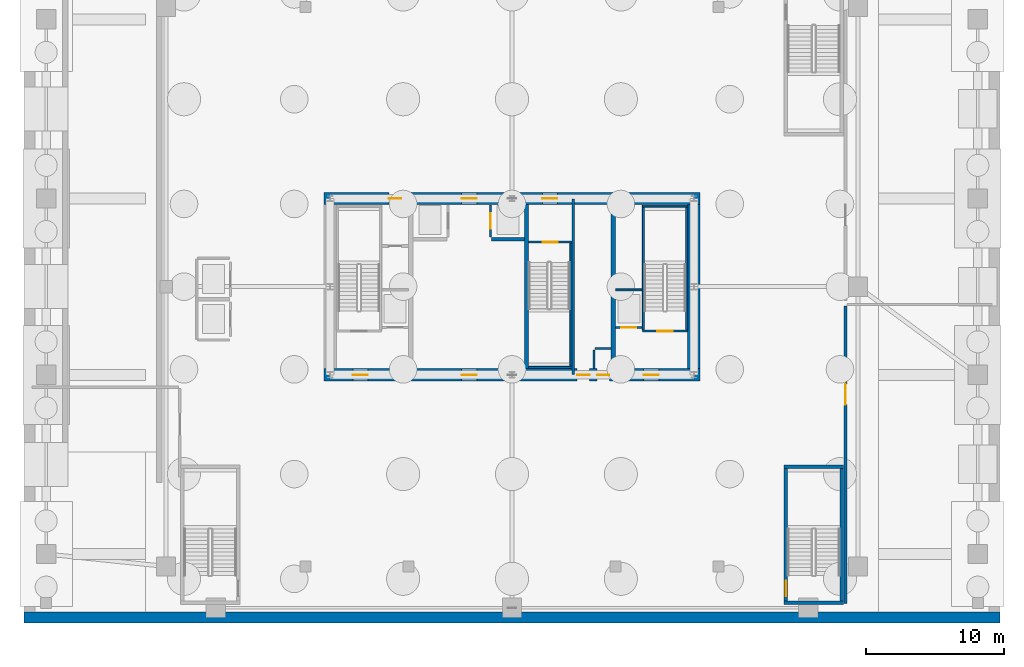
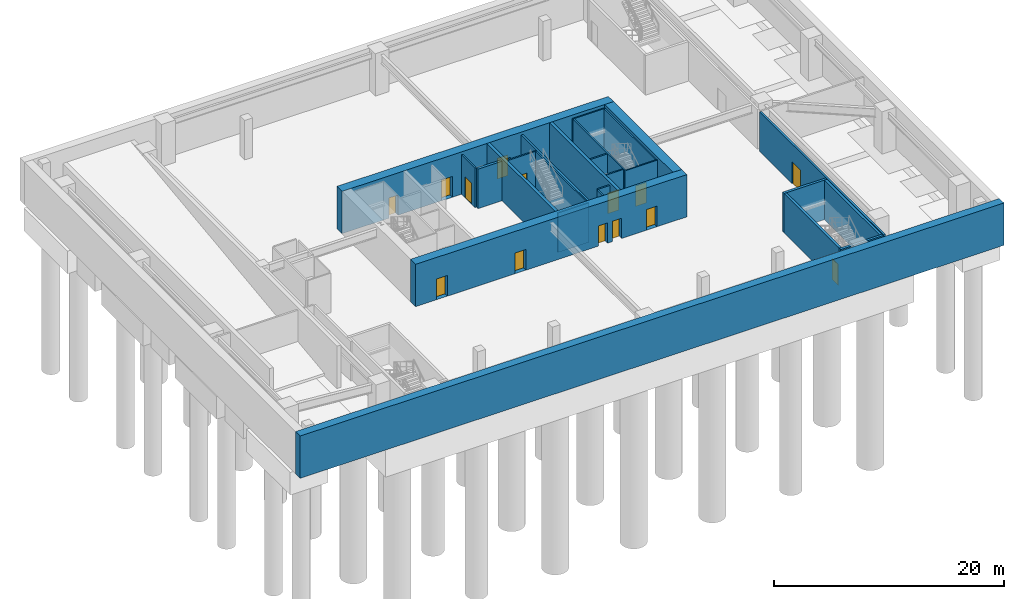
# One storey, part 5 of 10: 25 walls, 14 doors, 14 openings.
"""IFC4 building model written with IfcOpenShell, lengths in metres."""

from ifc_helpers import new_model, si_unit, direction, frame, frame_2d, origin, place, context, subcontext, project, spatial, rectangle, extrude, source, transform, mapped, material, layer, layer_set, type_object, element, fill, save


model = new_model("IFC4")

# Units and contexts
model_context = context("Model", 3, precision=1e-05, world=origin(), true_north=direction((0.0, 1.0)))
body_context = subcontext(model_context, "Body", "Model", "MODEL_VIEW")
ifc_project = project(units=[si_unit("LENGTHUNIT", "METRE"), si_unit("AREAUNIT", "SQUARE_METRE"), si_unit("VOLUMEUNIT", "CUBIC_METRE"), si_unit("PLANEANGLEUNIT", "RADIAN"), si_unit("MASSUNIT", "GRAM", prefix="KILO"), si_unit("THERMODYNAMICTEMPERATUREUNIT", "KELVIN"), si_unit("POWERUNIT", "WATT")], contexts=[model_context])

# Site, building, storey
site_placement = place(None, origin())
site = spatial("IfcSite", under=ifc_project, at=site_placement, CompositionType="ELEMENT")
building_placement = place(site_placement, origin())
building = spatial("IfcBuilding", under=site, at=building_placement, Name="Yuzanri Waterfront Tower", CompositionType="ELEMENT")
storey_placement = place(building_placement, frame((0.0, 0.0, -9.0)))
storey = spatial("IfcBuildingStorey", under=building, at=storey_placement, Name="B02", CompositionType="ELEMENT", Elevation=-9.0)

# Wall, openings, doors
ifc_material_1 = material(Name="Concrete C60", Category="concrete")
ifc_layer_1 = layer(ifc_material_1, 0.89990234375)
ifc_layer_set_1 = layer_set([ifc_layer_1], Name="Concrete C60")
wall_type_1 = type_object("IfcWallType", Name="Concrete C60 Lower Zone Core Shear Wall 900", PredefinedType="SHEAR", material=ifc_layer_set_1)
wall_1_placement = place(storey_placement, frame((23.35009765625, 19.39990234375, 0.0), z_axis=(0.0, 0.0, 1.0), x_axis=(1.0, 0.0, 0.0)))
wall_1 = element("IfcWall", 1, at=wall_1_placement, inside=storey, type_object=wall_type_1, Name="B02 Core South Shear Wall", PredefinedType="SHEAR", context=body_context, shape_type="SweptSolid", body=[
    extrude(rectangle(XDim=27.2998046875, YDim=0.89990234375, at=frame_2d((13.64990234375, 0.0))), origin(), (0.0, 0.0, 1.0), 4.5),
])
opening_1_placement = place(wall_1_placement, frame((2.10009765625, 0.0, 0.0)))
opening_1 = element("IfcOpeningElement", 2, at=opening_1_placement, cuts=wall_1, Name="Opening FD-1100", PredefinedType="OPENING", context=body_context, shape_type="SweptSolid", body=[
    extrude(rectangle(XDim=1.10009765625, YDim=2.199951171875, at=frame_2d((0.550048828125, 1.10009765625))), frame((0.0, 0.46484375, 0.0), z_axis=(0.0, -1.0, 0.0), x_axis=(1.0, 0.0, 0.0)), (0.0, 0.0, 1.0), 0.9296875),
])
opening_2_placement = place(wall_1_placement, frame((10.0, 0.0, 0.0)))
opening_2 = element("IfcOpeningElement", 3, at=opening_2_placement, cuts=wall_1, Name="Opening FD-1100", PredefinedType="OPENING", context=body_context, shape_type="SweptSolid", body=[
    extrude(rectangle(XDim=1.10009765625, YDim=2.199951171875, at=frame_2d((0.550048828125, 1.10009765625))), frame((0.0, 0.46484375, 0.0), z_axis=(0.0, -1.0, 0.0), x_axis=(1.0, 0.0, 0.0)), (0.0, 0.0, 1.0), 0.9296875),
])
opening_3_placement = place(wall_1_placement, frame((23.199951171875, 0.0, 0.0)))
opening_3 = element("IfcOpeningElement", 4, at=opening_3_placement, cuts=wall_1, Name="Opening FD-1100", PredefinedType="OPENING", context=body_context, shape_type="SweptSolid", body=[
    extrude(rectangle(XDim=1.10009765625, YDim=2.199951171875, at=frame_2d((0.550048828125, 1.10009765625))), frame((0.0, 0.46484375, 0.0), z_axis=(0.0, -1.0, 0.0), x_axis=(1.0, 0.0, 0.0)), (0.0, 0.0, 1.0), 0.9296875),
])
opening_4_placement = place(wall_1_placement, frame((19.820068359375, 0.0, 0.0)))
opening_4 = element("IfcOpeningElement", 5, at=opening_4_placement, cuts=wall_1, Name="Opening FD-0900", PredefinedType="OPENING", context=body_context, shape_type="SweptSolid", body=[
    extrude(rectangle(XDim=0.89990234375, YDim=2.14990234375, at=frame_2d((0.449951171875, 1.074951171875))), frame((0.0, 0.46484375, 0.0), z_axis=(0.0, -1.0, 0.0), x_axis=(1.0, 0.0, 0.0)), (0.0, 0.0, 1.0), 0.9296875),
])
opening_5_placement = place(wall_1_placement, frame((18.3798828125, 0.0, 0.0)))
opening_5 = element("IfcOpeningElement", 6, at=opening_5_placement, cuts=wall_1, Name="Opening FD-0900", PredefinedType="OPENING", context=body_context, shape_type="SweptSolid", body=[
    extrude(rectangle(XDim=0.89990234375, YDim=2.14990234375, at=frame_2d((0.449951171875, 1.074951171875))), frame((0.0, 0.46484375, 0.0), z_axis=(0.0, -1.0, 0.0), x_axis=(1.0, 0.0, 0.0)), (0.0, 0.0, 1.0), 0.9296875),
])
ifc_material_2 = material(Name="Painted Galvanized Fire Steel", Category="steel")
door_type_1 = type_object("IfcDoorType", Name="Smoke-Proof Stair and Lobby Fire Door 1100x2200", OperationType="NOTDEFINED", PredefinedType="DOOR", material=ifc_material_2)
shared_shape_1 = source(origin(), body_context, "Body", "SweptSolid", [
    extrude(rectangle(XDim=1.10009765625, YDim=2.199951171875, at=frame_2d((0.550048828125, 1.10009765625))), frame((0.0, 0.02490234375, 0.0), z_axis=(0.0, -1.0, 0.0), x_axis=(1.0, 0.0, 0.0)), (0.0, 0.0, 1.0), 0.050048828125),
])
door_1_placement = place(opening_1_placement, origin())
door_1 = element("IfcDoor", 7, at=door_1_placement, inside=storey, type_object=door_type_1, Name="B02 West Firefighting Lobby Door", OperationType="SINGLE_SWING_LEFT", OverallHeight=2.199951171875, OverallWidth=1.10009765625, PredefinedType="DOOR", context=body_context, shape_type="MappedRepresentation", body=[
    mapped(shared_shape_1, transform((0.0, 0.0, 0.0), scale=1.0)),
])
fill(opening_1, door_1)
door_2_placement = place(opening_2_placement, origin())
door_2 = element("IfcDoor", 8, at=door_2_placement, inside=storey, type_object=door_type_1, Name="B02 Central Lift Lobby South Door", OperationType="SINGLE_SWING_RIGHT", OverallHeight=2.199951171875, OverallWidth=1.10009765625, PredefinedType="DOOR", context=body_context, shape_type="MappedRepresentation", body=[
    mapped(shared_shape_1, transform((0.0, 0.0, 0.0), scale=1.0)),
])
fill(opening_2, door_2)
door_3_placement = place(opening_3_placement, origin())
door_3 = element("IfcDoor", 9, at=door_3_placement, inside=storey, type_object=door_type_1, Name="B02 East Firefighting Lobby Door", OperationType="SINGLE_SWING_LEFT", OverallHeight=2.199951171875, OverallWidth=1.10009765625, PredefinedType="DOOR", context=body_context, shape_type="MappedRepresentation", body=[
    mapped(shared_shape_1, transform((0.0, 0.0, 0.0), scale=1.0)),
])
fill(opening_3, door_3)
ifc_material_3 = material(Name="Painted Galvanized Fire Steel", Category="steel")
door_type_2 = type_object("IfcDoorType", Name="Riser and Service Room Fire Door 900x2150", OperationType="NOTDEFINED", PredefinedType="DOOR", material=ifc_material_3)
shared_shape_2 = source(origin(), body_context, "Body", "SweptSolid", [
    extrude(rectangle(XDim=0.89990234375, YDim=2.14990234375, at=frame_2d((0.449951171875, 1.074951171875))), frame((0.0, 0.02490234375, 0.0), z_axis=(0.0, -1.0, 0.0), x_axis=(1.0, 0.0, 0.0)), (0.0, 0.0, 1.0), 0.050048828125),
])
door_4_placement = place(opening_4_placement, origin())
door_4 = element("IfcDoor", 10, at=door_4_placement, inside=storey, type_object=door_type_2, Name="B02 East Wet Riser Door", OperationType="SINGLE_SWING_RIGHT", OverallHeight=2.14990234375, OverallWidth=0.89990234375, PredefinedType="DOOR", context=body_context, shape_type="MappedRepresentation", body=[
    mapped(shared_shape_2, transform((0.0, 0.0, 0.0), scale=1.0)),
])
fill(opening_4, door_4)
door_5_placement = place(opening_5_placement, origin())
door_5 = element("IfcDoor", 11, at=door_5_placement, inside=storey, type_object=door_type_2, Name="B02 Cleaners Store Room", OperationType="SINGLE_SWING_LEFT", OverallHeight=2.14990234375, OverallWidth=0.89990234375, PredefinedType="DOOR", context=body_context, shape_type="MappedRepresentation", body=[
    mapped(shared_shape_2, transform((0.0, 0.0, 0.0), scale=1.0)),
])
fill(opening_5, door_5)

wall_2_placement = place(storey_placement, frame((23.35009765625, 32.199951171875, 0.0), z_axis=(0.0, 0.0, 1.0), x_axis=(1.0, 0.0, 0.0)))
wall_2 = element("IfcWall", 12, at=wall_2_placement, inside=storey, type_object=wall_type_1, Name="B02 Core North Shear Wall", PredefinedType="SHEAR", context=body_context, shape_type="SweptSolid", body=[
    extrude(rectangle(XDim=27.2998046875, YDim=0.89990234375, at=frame_2d((13.64990234375, 0.0))), origin(), (0.0, 0.0, 1.0), 4.5),
])
opening_6_placement = place(wall_2_placement, frame((4.719970703125, 0.0, 0.0)))
opening_6 = element("IfcOpeningElement", 13, at=opening_6_placement, cuts=wall_2, Name="Opening FD-0900", PredefinedType="OPENING", context=body_context, shape_type="SweptSolid", body=[
    extrude(rectangle(XDim=0.89990234375, YDim=2.14990234375, at=frame_2d((0.449951171875, 1.074951171875))), frame((0.0, 0.46484375, 0.0), z_axis=(0.0, -1.0, 0.0), x_axis=(1.0, 0.0, 0.0)), (0.0, 0.0, 1.0), 0.9296875),
])
opening_7_placement = place(wall_2_placement, frame((10.0, 0.0, 0.0)))
opening_7 = element("IfcOpeningElement", 14, at=opening_7_placement, cuts=wall_2, Name="Opening FD-1100", PredefinedType="OPENING", context=body_context, shape_type="SweptSolid", body=[
    extrude(rectangle(XDim=1.10009765625, YDim=2.199951171875, at=frame_2d((0.550048828125, 1.10009765625))), frame((0.0, 0.46484375, 0.0), z_axis=(0.0, -1.0, 0.0), x_axis=(1.0, 0.0, 0.0)), (0.0, 0.0, 1.0), 0.9296875),
])
opening_8_placement = place(wall_2_placement, frame((15.85009765625, 0.0, 0.0)))
opening_8 = element("IfcOpeningElement", 15, at=opening_8_placement, cuts=wall_2, Name="Opening FD-1100", PredefinedType="OPENING", context=body_context, shape_type="SweptSolid", body=[
    extrude(rectangle(XDim=1.10009765625, YDim=2.199951171875, at=frame_2d((0.550048828125, 1.10009765625))), frame((0.0, 0.46484375, 0.0), z_axis=(0.0, -1.0, 0.0), x_axis=(1.0, 0.0, 0.0)), (0.0, 0.0, 1.0), 0.9296875),
])
door_6_placement = place(opening_7_placement, origin())
door_6 = element("IfcDoor", 16, at=door_6_placement, inside=storey, type_object=door_type_1, Name="B02 Central Lift Lobby North Door", OperationType="SINGLE_SWING_LEFT", OverallHeight=2.199951171875, OverallWidth=1.10009765625, PredefinedType="DOOR", context=body_context, shape_type="MappedRepresentation", body=[
    mapped(shared_shape_1, transform((0.0, 0.0, 0.0), scale=1.0)),
])
fill(opening_7, door_6)
door_7_placement = place(opening_8_placement, origin())
door_7 = element("IfcDoor", 17, at=door_7_placement, inside=storey, type_object=door_type_1, Name="B02 North Stair Lobby Door", OperationType="SINGLE_SWING_RIGHT", OverallHeight=2.199951171875, OverallWidth=1.10009765625, PredefinedType="DOOR", context=body_context, shape_type="MappedRepresentation", body=[
    mapped(shared_shape_1, transform((0.0, 0.0, 0.0), scale=1.0)),
])
fill(opening_8, door_7)
door_8_placement = place(opening_6_placement, origin())
door_8 = element("IfcDoor", 18, at=door_8_placement, inside=storey, type_object=door_type_2, Name="B02 Telecom Riser Door", OperationType="SINGLE_SWING_RIGHT", OverallHeight=2.14990234375, OverallWidth=0.89990234375, PredefinedType="DOOR", context=body_context, shape_type="MappedRepresentation", body=[
    mapped(shared_shape_2, transform((0.0, 0.0, 0.0), scale=1.0)),
])
fill(opening_6, door_8)

# Wall, opening, door
ifc_material_4 = material(Name="Concrete C40", Category="concrete")
ifc_layer_2 = layer(ifc_material_4, 0.139892578125)
ifc_layer_set_2 = layer_set([ifc_layer_2], Name="Concrete C40")
wall_type_2 = type_object("IfcWallType", Name="Core Stair Liner and Hoistway Shaft Wall 140", PredefinedType="SOLIDWALL", material=ifc_layer_set_2)
wall_3_placement = place(storey_placement, frame((44.52001953125, 22.830078125, 0.0), z_axis=(0.0, 0.0, 1.0), x_axis=(1.0, 0.0, 0.0)))
wall_3 = element("IfcWall", 19, at=wall_3_placement, inside=storey, type_object=wall_type_2, Name="B02 Lift FL-02 Front Shaft Wall", PredefinedType="SOLIDWALL", context=body_context, shape_type="SweptSolid", body=[
    extrude(rectangle(XDim=1.919921875, YDim=0.139892578125, at=frame_2d((0.9599609375, 0.0))), origin(), (0.0, 0.0, 1.0), 4.199951171875),
])
opening_9_placement = place(wall_3_placement, frame((0.409912109375, 0.0, 0.0)))
opening_9 = element("IfcOpeningElement", 20, at=opening_9_placement, cuts=wall_3, Name="Opening LD-FL-02", PredefinedType="OPENING", context=body_context, shape_type="SweptSolid", body=[
    extrude(rectangle(XDim=1.10009765625, YDim=2.199951171875, at=frame_2d((0.550048828125, 1.10009765625))), frame((0.0, 0.0849609375, 0.0), z_axis=(0.0, -1.0, 0.0), x_axis=(1.0, 0.0, 0.0)), (0.0, 0.0, 1.0), 0.169677734375),
])
ifc_material_5 = material(Name="Brushed Bronze and Stainless Steel Cab", Category="steel")
door_type_3 = type_object("IfcDoorType", Name="Center-Parting Bronze Lift Landing Sliding Door 1100x2200", OperationType="NOTDEFINED", PredefinedType="DOOR", material=ifc_material_5)
shared_shape_3 = source(origin(), body_context, "Body", "SweptSolid", [
    extrude(rectangle(XDim=1.10009765625, YDim=2.199951171875, at=frame_2d((0.550048828125, 1.10009765625))), frame((0.0, 0.02490234375, 0.0), z_axis=(0.0, -1.0, 0.0), x_axis=(1.0, 0.0, 0.0)), (0.0, 0.0, 1.0), 0.050048828125),
])
door_9_placement = place(opening_9_placement, origin())
door_9 = element("IfcDoor", 21, at=door_9_placement, inside=storey, type_object=door_type_3, Name="B02 FL-02 Lift Landing Sliding Door", OperationType="SLIDING_TO_RIGHT", OverallHeight=2.199951171875, OverallWidth=1.10009765625, PredefinedType="DOOR", context=body_context, shape_type="MappedRepresentation", body=[
    mapped(shared_shape_3, transform((0.0, 0.0, 0.0), scale=1.0)),
])
fill(opening_9, door_9)

wall_4_placement = place(storey_placement, frame((35.429931640625, 29.39990234375, 0.0), z_axis=(0.0, 0.0, 1.0), x_axis=(0.0, 1.0, 0.0)))
wall_4 = element("IfcWall", 22, at=wall_4_placement, inside=storey, type_object=wall_type_2, Name="B02 Lift SL-02 Front Shaft Wall", PredefinedType="SOLIDWALL", context=body_context, shape_type="SweptSolid", body=[
    extrude(rectangle(XDim=2.340087890625, YDim=0.139892578125, at=frame_2d((1.169921875, 0.0))), origin(), (0.0, 0.0, 1.0), 4.199951171875),
])
opening_10_placement = place(wall_4_placement, frame((0.6201171875, 0.0, 0.0)))
opening_10 = element("IfcOpeningElement", 23, at=opening_10_placement, cuts=wall_4, Name="Opening LD-SL-02", PredefinedType="OPENING", context=body_context, shape_type="SweptSolid", body=[
    extrude(rectangle(XDim=1.10009765625, YDim=2.199951171875, at=frame_2d((0.550048828125, 1.10009765625))), frame((0.0, 0.0849609375, 0.0), z_axis=(0.0, -1.0, 0.0), x_axis=(1.0, 0.0, 0.0)), (0.0, 0.0, 1.0), 0.169677734375),
])
door_10_placement = place(opening_10_placement, origin())
door_10 = element("IfcDoor", 24, at=door_10_placement, inside=storey, type_object=door_type_3, Name="B02 SL-02 Lift Landing Sliding Door", OperationType="SLIDING_TO_RIGHT", OverallHeight=2.199951171875, OverallWidth=1.10009765625, PredefinedType="DOOR", context=body_context, shape_type="MappedRepresentation", body=[
    mapped(shared_shape_3, transform((0.0, 0.0, 0.0), scale=1.0)),
])
fill(opening_10, door_10)

wall_5_placement = place(storey_placement, frame((46.4599609375, 22.570068359375, 0.0), z_axis=(0.0, 0.0, 1.0), x_axis=(1.0, 0.0, 0.0)))
wall_5 = element("IfcWall", 25, at=wall_5_placement, inside=storey, type_object=wall_type_2, Name="B02 Shaft Wall STW-B02-ST-02-S", PredefinedType="SOLIDWALL", context=body_context, shape_type="SweptSolid", body=[
    extrude(rectangle(XDim=3.280029296875, YDim=0.139892578125, at=frame_2d((1.64013671875, 0.0))), origin(), (0.0, 0.0, 1.0), 4.199951171875),
])
opening_11_placement = place(wall_5_placement, frame((1.090087890625, 0.0, 0.0)))
opening_11 = element("IfcOpeningElement", 26, at=opening_11_placement, cuts=wall_5, Name="Opening FD-1100", PredefinedType="OPENING", context=body_context, shape_type="SweptSolid", body=[
    extrude(rectangle(XDim=1.10009765625, YDim=2.199951171875, at=frame_2d((0.550048828125, 1.10009765625))), frame((0.0, 0.0849609375, 0.0), z_axis=(0.0, -1.0, 0.0), x_axis=(1.0, 0.0, 0.0)), (0.0, 0.0, 1.0), 0.169677734375),
])
door_11_placement = place(opening_11_placement, origin())
door_11 = element("IfcDoor", 27, at=door_11_placement, inside=storey, type_object=door_type_1, Name="B02 Stair ST-02 Fire Door", OperationType="SINGLE_SWING_RIGHT", OverallHeight=2.199951171875, OverallWidth=1.10009765625, PredefinedType="DOOR", context=body_context, shape_type="MappedRepresentation", body=[
    mapped(shared_shape_1, transform((0.0, 0.0, 0.0), scale=1.0)),
])
fill(opening_11, door_11)

wall_6_placement = place(storey_placement, frame((38.199951171875, 29.030029296875, 0.0), z_axis=(0.0, 0.0, 1.0), x_axis=(1.0, 0.0, 0.0)))
wall_6 = element("IfcWall", 28, at=wall_6_placement, inside=storey, type_object=wall_type_2, Name="B02 Shaft Wall STW-B02-ST-03-N", PredefinedType="SOLIDWALL", context=body_context, shape_type="SweptSolid", body=[
    extrude(rectangle(XDim=3.14013671875, YDim=0.139892578125, at=frame_2d((1.570068359375, 0.0))), origin(), (0.0, 0.0, 1.0), 4.199951171875),
])
opening_12_placement = place(wall_6_placement, frame((1.02001953125, 0.0, 0.0)))
opening_12 = element("IfcOpeningElement", 29, at=opening_12_placement, cuts=wall_6, Name="Opening FD-1100", PredefinedType="OPENING", context=body_context, shape_type="SweptSolid", body=[
    extrude(rectangle(XDim=1.10009765625, YDim=2.199951171875, at=frame_2d((0.550048828125, 1.10009765625))), frame((0.0, 0.0849609375, 0.0), z_axis=(0.0, -1.0, 0.0), x_axis=(1.0, 0.0, 0.0)), (0.0, 0.0, 1.0), 0.169677734375),
])
door_12_placement = place(opening_12_placement, origin())
door_12 = element("IfcDoor", 30, at=door_12_placement, inside=storey, type_object=door_type_1, Name="B02 Stair ST-03 Fire Door", OperationType="SINGLE_SWING_LEFT", OverallHeight=2.199951171875, OverallWidth=1.10009765625, PredefinedType="DOOR", context=body_context, shape_type="MappedRepresentation", body=[
    mapped(shared_shape_1, transform((0.0, 0.0, 0.0), scale=1.0)),
])
fill(opening_12, door_12)

ifc_material_6 = material(Name="Autoclaved Aerated Concrete Blockwork", Category="masonry")
ifc_layer_3 = layer(ifc_material_6, 0.199951171875)
ifc_layer_set_3 = layer_set([ifc_layer_3], Name="Autoclaved Aerated Concrete Blockwork")
wall_type_3 = type_object("IfcWallType", Name="Corridor and Unit Party Fire Wall 200", PredefinedType="PARTITIONING", material=ifc_layer_set_3)
wall_7_placement = place(storey_placement, frame((61.199951171875, 2.800048828125, 0.0), z_axis=(0.0, 0.0, 1.0), x_axis=(0.0, 1.0, 0.0)))
wall_7 = element("IfcWall", 31, at=wall_7_placement, inside=storey, type_object=wall_type_3, Name="B02 Partition PRW-B02-029-W", PredefinedType="PARTITIONING", context=body_context, shape_type="SweptSolid", body=[
    extrude(rectangle(XDim=21.599853515625, YDim=0.199951171875, at=frame_2d((10.7998046875, 0.0))), origin(), (0.0, 0.0, 1.0), 4.199951171875),
])
opening_13_placement = place(wall_7_placement, frame((14.449951171875, 0.0, 0.0)))
opening_13 = element("IfcOpeningElement", 32, at=opening_13_placement, cuts=wall_7, Name="Opening FD-1500", PredefinedType="OPENING", context=body_context, shape_type="SweptSolid", body=[
    extrude(rectangle(XDim=1.5, YDim=2.300048828125, at=frame_2d((0.75, 1.14990234375))), frame((0.0, 0.11474609375, 0.0), z_axis=(0.0, -1.0, 0.0), x_axis=(1.0, 0.0, 0.0)), (0.0, 0.0, 1.0), 0.229736328125),
])
ifc_material_7 = material(Name="Painted Galvanized Fire Steel", Category="steel")
door_type_4 = type_object("IfcDoorType", Name="Plant and Ballroom Double Fire Door 1500x2300", OperationType="NOTDEFINED", PredefinedType="DOOR", material=ifc_material_7)
shared_shape_4 = source(origin(), body_context, "Body", "SweptSolid", [
    extrude(rectangle(XDim=1.5, YDim=2.300048828125, at=frame_2d((0.75, 1.14990234375))), frame((0.0, 0.02490234375, 0.0), z_axis=(0.0, -1.0, 0.0), x_axis=(1.0, 0.0, 0.0)), (0.0, 0.0, 1.0), 0.050048828125),
])
door_13_placement = place(opening_13_placement, origin())
door_13 = element("IfcDoor", 33, at=door_13_placement, inside=storey, type_object=door_type_4, Name="B02 Chiller and Heat-Exchanger Plant Room", OperationType="DOUBLE_DOOR_SINGLE_SWING", OverallHeight=2.300048828125, OverallWidth=1.5, PredefinedType="DOOR", context=body_context, shape_type="MappedRepresentation", body=[
    mapped(shared_shape_4, transform((0.0, 0.0, 0.0), scale=1.0)),
])
fill(opening_13, door_13)

ifc_material_8 = material(Name="Concrete C40", Category="concrete")
ifc_layer_4 = layer(ifc_material_8, 0.25)
ifc_layer_set_4 = layer_set([ifc_layer_4], Name="Concrete C40")
wall_type_4 = type_object("IfcWallType", Name="Smoke-Proof Stair and Lift Shaft Wall 250", PredefinedType="SOLIDWALL", material=ifc_layer_set_4)
wall_8_placement = place(storey_placement, frame((56.875, 3.0, 0.0), z_axis=(0.0, 0.0, 1.0), x_axis=(0.0, 1.0, 0.0)))
wall_8 = element("IfcWall", 34, at=wall_8_placement, inside=storey, type_object=wall_type_4, Name="B02 Shaft Wall PSTW-B02-PST-02-W", PredefinedType="SOLIDWALL", context=body_context, shape_type="SweptSolid", body=[
    extrude(rectangle(XDim=9.60009765625, YDim=0.25, at=frame_2d((4.800048828125, 0.0))), origin(), (0.0, 0.0, 1.0), 4.199951171875),
])
opening_14_placement = place(wall_8_placement, frame((0.35009765625, 0.0, 0.0)))
opening_14 = element("IfcOpeningElement", 35, at=opening_14_placement, cuts=wall_8, Name="Opening FD-1100", PredefinedType="OPENING", context=body_context, shape_type="SweptSolid", body=[
    extrude(rectangle(XDim=1.10009765625, YDim=2.199951171875, at=frame_2d((0.550048828125, 1.10009765625))), frame((0.0, 0.139892578125, 0.0), z_axis=(0.0, -1.0, 0.0), x_axis=(1.0, 0.0, 0.0)), (0.0, 0.0, 1.0), 0.27978515625),
])
door_14_placement = place(opening_14_placement, origin())
door_14 = element("IfcDoor", 36, at=door_14_placement, inside=storey, type_object=door_type_1, Name="B02 PST-02 Stair Door", OperationType="SINGLE_SWING_LEFT", OverallHeight=2.199951171875, OverallWidth=1.10009765625, PredefinedType="DOOR", context=body_context, shape_type="MappedRepresentation", body=[
    mapped(shared_shape_1, transform((0.0, 0.0, 0.0), scale=1.0)),
])
fill(opening_14, door_14)

# Walls
ifc_material_9 = material(Name="Concrete C50", Category="concrete")
ifc_layer_5 = layer(ifc_material_9, 0.800048828125)
ifc_layer_set_5 = layer_set([ifc_layer_5], Name="Concrete C50")
wall_type_5 = type_object("IfcWallType", Name="Concrete C50 Basement Perimeter Waterproof Retaining Wall 800", PredefinedType="USERDEFINED", material=ifc_layer_set_5)
shared_shape_5 = source(origin(), body_context, "Body", "SweptSolid", [
    extrude(rectangle(XDim=70.7998046875, YDim=0.800048828125, at=frame_2d((35.39990234375, 0.0))), origin(), (0.0, 0.0, 1.0), 4.5),
])
wall_9_placement = place(storey_placement, frame((1.60009765625, 1.800048828125, 0.0), z_axis=(0.0, 0.0, 1.0), x_axis=(1.0, 0.0, 0.0)))
element("IfcWall", 37, at=wall_9_placement, inside=storey, type_object=wall_type_5, Name="B02 South Retaining Wall", ObjectType="RETAININGWALL", PredefinedType="USERDEFINED", context=body_context, shape_type="MappedRepresentation", body=[
    mapped(shared_shape_5, transform((0.0, 0.0, 0.0), scale=1.0)),
])
shared_shape_6 = source(origin(), body_context, "Body", "SweptSolid", [
    extrude(rectangle(XDim=11.89990234375, YDim=0.89990234375, at=frame_2d((5.949951171875, 0.0))), origin(), (0.0, 0.0, 1.0), 4.5),
])
wall_10_placement = place(storey_placement, frame((50.199951171875, 19.85009765625, 0.0), z_axis=(0.0, 0.0, 1.0), x_axis=(0.0, 1.0, 0.0)))
element("IfcWall", 38, at=wall_10_placement, inside=storey, type_object=wall_type_1, Name="B02 Core East Shear Wall", PredefinedType="SHEAR", context=body_context, shape_type="MappedRepresentation", body=[
    mapped(shared_shape_6, transform((0.0, 0.0, 0.0), scale=1.0)),
])
ifc_material_10 = material(Name="Concrete C50", Category="concrete")
ifc_layer_6 = layer(ifc_material_10, 0.300048828125)
ifc_layer_set_6 = layer_set([ifc_layer_6], Name="Concrete C50")
wall_type_6 = type_object("IfcWallType", Name="Concrete C50 Internal Core Shaft Structural Wall 300", PredefinedType="SOLIDWALL", material=ifc_layer_set_6)
shared_shape_7 = source(origin(), body_context, "Body", "SweptSolid", [
    extrude(rectangle(XDim=11.89990234375, YDim=0.300048828125, at=frame_2d((5.949951171875, 0.0))), origin(), (0.0, 0.0, 1.0), 4.5),
])
for number, where, z_axis, x_axis, name in (
    (39, (38.050048828125, 19.85009765625, 0.0), (0.0, 0.0, 1.0), (0.0, 1.0, 0.0), "B02 Core Internal Structural Web Wall 2"),
    (40, (44.35009765625, 19.85009765625, 0.0), (0.0, 0.0, 1.0), (0.0, 1.0, 0.0), "B02 Core Internal Structural Web Wall 3"),
):
    element("IfcWall", number, at=place(storey_placement, frame(where, z_axis=z_axis, x_axis=x_axis)), inside=storey, type_object=wall_type_6, Name=name, PredefinedType="SOLIDWALL", context=body_context, shape_type="MappedRepresentation", body=[
        mapped(shared_shape_7, transform((0.0, 0.0, 0.0), scale=1.0)),
    ])
shared_shape_8 = source(origin(), body_context, "Body", "SweptSolid", [
    extrude(rectangle(XDim=1.919921875, YDim=0.139892578125, at=frame_2d((0.9599609375, 0.0))), origin(), (0.0, 0.0, 1.0), 4.199951171875),
])
wall_11_placement = place(storey_placement, frame((44.52001953125, 25.570068359375, 0.0), z_axis=(0.0, 0.0, 1.0), x_axis=(1.0, 0.0, 0.0)))
element("IfcWall", 41, at=wall_11_placement, inside=storey, type_object=wall_type_2, Name="B02 Lift FL-02 Back Shaft Wall", PredefinedType="SOLIDWALL", context=body_context, shape_type="MappedRepresentation", body=[
    mapped(shared_shape_8, transform((0.0, 0.0, 0.0), scale=1.0)),
])
shared_shape_9 = source(origin(), body_context, "Body", "SweptSolid", [
    extrude(rectangle(XDim=2.39990234375, YDim=0.25, at=frame_2d((1.199951171875, 0.0))), origin(), (0.0, 0.0, 1.0), 4.199951171875),
])
wall_12_placement = place(storey_placement, frame((35.5, 29.25, 0.0), z_axis=(0.0, 0.0, 1.0), x_axis=(1.0, 0.0, 0.0)))
element("IfcWall", 42, at=wall_12_placement, inside=storey, type_object=wall_type_4, Name="B02 Lift SL-02 South Shaft Wall", PredefinedType="SOLIDWALL", context=body_context, shape_type="MappedRepresentation", body=[
    mapped(shared_shape_9, transform((0.0, 0.0, 0.0), scale=1.0)),
])
shared_shape_10 = source(origin(), body_context, "Body", "SweptSolid", [
    extrude(rectangle(XDim=3.280029296875, YDim=0.139892578125, at=frame_2d((1.64013671875, 0.0))), origin(), (0.0, 0.0, 1.0), 4.199951171875),
])
wall_13_placement = place(storey_placement, frame((46.4599609375, 31.64990234375, 0.0), z_axis=(0.0, 0.0, 1.0), x_axis=(1.0, 0.0, 0.0)))
element("IfcWall", 43, at=wall_13_placement, inside=storey, type_object=wall_type_2, Name="B02 Stair ST-02 North Shaft Wall", PredefinedType="SOLIDWALL", context=body_context, shape_type="MappedRepresentation", body=[
    mapped(shared_shape_10, transform((0.0, 0.0, 0.0), scale=1.0)),
])
shared_shape_11 = source(origin(), body_context, "Body", "SweptSolid", [
    extrude(rectangle(XDim=8.940185546875, YDim=0.139892578125, at=frame_2d((4.47021484375, 0.0))), origin(), (0.0, 0.0, 1.0), 4.199951171875),
])
for number, where, z_axis, x_axis, name in (
    (44, (46.530029296875, 22.639892578125, 0.0), (0.0, 0.0, 1.0), (0.0, 1.0, 0.0), "B02 Stair ST-02 West Shaft Wall"),
    (45, (49.669921875, 22.639892578125, 0.0), (0.0, 0.0, 1.0), (0.0, 1.0, 0.0), "B02 Stair ST-02 East Shaft Wall"),
):
    element("IfcWall", number, at=place(storey_placement, frame(where, z_axis=z_axis, x_axis=x_axis)), inside=storey, type_object=wall_type_2, Name=name, PredefinedType="SOLIDWALL", context=body_context, shape_type="MappedRepresentation", body=[
        mapped(shared_shape_11, transform((0.0, 0.0, 0.0), scale=1.0)),
    ])
shared_shape_12 = source(origin(), body_context, "Body", "SweptSolid", [
    extrude(rectangle(XDim=3.14013671875, YDim=0.139892578125, at=frame_2d((1.570068359375, 0.0))), origin(), (0.0, 0.0, 1.0), 4.199951171875),
])
wall_14_placement = place(storey_placement, frame((38.199951171875, 19.949951171875, 0.0), z_axis=(0.0, 0.0, 1.0), x_axis=(1.0, 0.0, 0.0)))
element("IfcWall", 46, at=wall_14_placement, inside=storey, type_object=wall_type_2, Name="B02 Stair ST-03 South Shaft Wall", PredefinedType="SOLIDWALL", context=body_context, shape_type="MappedRepresentation", body=[
    mapped(shared_shape_12, transform((0.0, 0.0, 0.0), scale=1.0)),
])
shared_shape_13 = source(origin(), body_context, "Body", "SweptSolid", [
    extrude(rectangle(XDim=8.93994140625, YDim=0.139892578125, at=frame_2d((4.469970703125, 0.0))), origin(), (0.0, 0.0, 1.0), 4.199951171875),
])
wall_15_placement = place(storey_placement, frame((41.27001953125, 20.02001953125, 0.0), z_axis=(0.0, 0.0, 1.0), x_axis=(0.0, 1.0, 0.0)))
element("IfcWall", 47, at=wall_15_placement, inside=storey, type_object=wall_type_2, Name="B02 Stair ST-03 East Shaft Wall", PredefinedType="SOLIDWALL", context=body_context, shape_type="MappedRepresentation", body=[
    mapped(shared_shape_13, transform((0.0, 0.0, 0.0), scale=1.0)),
])
shared_shape_14 = source(origin(), body_context, "Body", "SweptSolid", [
    extrude(rectangle(XDim=4.300048828125, YDim=0.25, at=frame_2d((2.14990234375, 0.0))), origin(), (0.0, 0.0, 1.0), 4.199951171875),
])
for number, where, z_axis, x_axis, name in (
    (48, (56.75, 2.875, 0.0), (0.0, 0.0, 1.0), (1.0, 0.0, 0.0), "B02 PST-02 South Wall"),
    (49, (56.75, 12.72509765625, 0.0), (0.0, 0.0, 1.0), (1.0, 0.0, 0.0), "B02 PST-02 North Wall"),
):
    element("IfcWall", number, at=place(storey_placement, frame(where, z_axis=z_axis, x_axis=x_axis)), inside=storey, type_object=wall_type_4, Name=name, PredefinedType="SOLIDWALL", context=body_context, shape_type="MappedRepresentation", body=[
        mapped(shared_shape_14, transform((0.0, 0.0, 0.0), scale=1.0)),
    ])
shared_shape_15 = source(origin(), body_context, "Body", "SweptSolid", [
    extrude(rectangle(XDim=9.60009765625, YDim=0.25, at=frame_2d((4.800048828125, 0.0))), origin(), (0.0, 0.0, 1.0), 4.199951171875),
])
wall_16_placement = place(storey_placement, frame((60.925048828125, 3.0, 0.0), z_axis=(0.0, 0.0, 1.0), x_axis=(0.0, 1.0, 0.0)))
element("IfcWall", 50, at=wall_16_placement, inside=storey, type_object=wall_type_4, Name="B02 Shaft Wall PSTW-B02-PST-02-E", PredefinedType="SOLIDWALL", context=body_context, shape_type="MappedRepresentation", body=[
    mapped(shared_shape_15, transform((0.0, 0.0, 0.0), scale=1.0)),
])
ifc_material_11 = material(Name="Gypsum Fireboard Acoustic Stud Wall", Category="gypsum")
ifc_layer_7 = layer(ifc_material_11, 0.159912109375)
ifc_layer_set_7 = layer_set([ifc_layer_7], Name="Gypsum Fireboard Acoustic Stud Wall")
wall_type_7 = type_object("IfcWallType", Name="Acoustic Suite Demising Partition 160", PredefinedType="PARTITIONING", material=ifc_layer_set_7)
shared_shape_16 = source(origin(), body_context, "Body", "SweptSolid", [
    extrude(rectangle(XDim=1.33984375, YDim=0.159912109375, at=frame_2d((0.669921875, 0.0))), origin(), (0.0, 0.0, 1.0), 4.199951171875),
])
wall_17_placement = place(storey_placement, frame((42.949951171875, 19.860107421875, 0.0), z_axis=(0.0, 0.0, 1.0), x_axis=(0.0, 1.0, 0.0)))
element("IfcWall", 51, at=wall_17_placement, inside=storey, type_object=wall_type_7, Name="B02 East Wet Riser West Wall", PredefinedType="PARTITIONING", context=body_context, shape_type="MappedRepresentation", body=[
    mapped(shared_shape_16, transform((0.0, 0.0, 0.0), scale=1.0)),
])
shared_shape_17 = source(origin(), body_context, "Body", "SweptSolid", [
    extrude(rectangle(XDim=1.169921875, YDim=0.159912109375, at=frame_2d((0.5849609375, 0.0))), origin(), (0.0, 0.0, 1.0), 4.199951171875),
])
wall_18_placement = place(storey_placement, frame((43.030029296875, 21.320068359375, 0.0), z_axis=(0.0, 0.0, 1.0), x_axis=(1.0, 0.0, 0.0)))
element("IfcWall", 52, at=wall_18_placement, inside=storey, type_object=wall_type_7, Name="B02 East Wet Riser North Wall", PredefinedType="PARTITIONING", context=body_context, shape_type="MappedRepresentation", body=[
    mapped(shared_shape_17, transform((0.0, 0.0, 0.0), scale=1.0)),
])
shared_shape_18 = source(origin(), body_context, "Body", "SweptSolid", [
    extrude(rectangle(XDim=12.719970703125, YDim=0.199951171875, at=frame_2d((6.35986328125, 0.0))), origin(), (0.0, 0.0, 1.0), 4.199951171875),
])
wall_19_placement = place(storey_placement, frame((41.449951171875, 19.43994140625, 0.0), z_axis=(0.0, 0.0, 1.0), x_axis=(0.0, 1.0, 0.0)))
element("IfcWall", 53, at=wall_19_placement, inside=storey, type_object=wall_type_3, Name="B02 Core BOH West Wall 1", PredefinedType="PARTITIONING", context=body_context, shape_type="MappedRepresentation", body=[
    mapped(shared_shape_18, transform((0.0, 0.0, 0.0), scale=1.0)),
])

save(model, "model.ifc")
